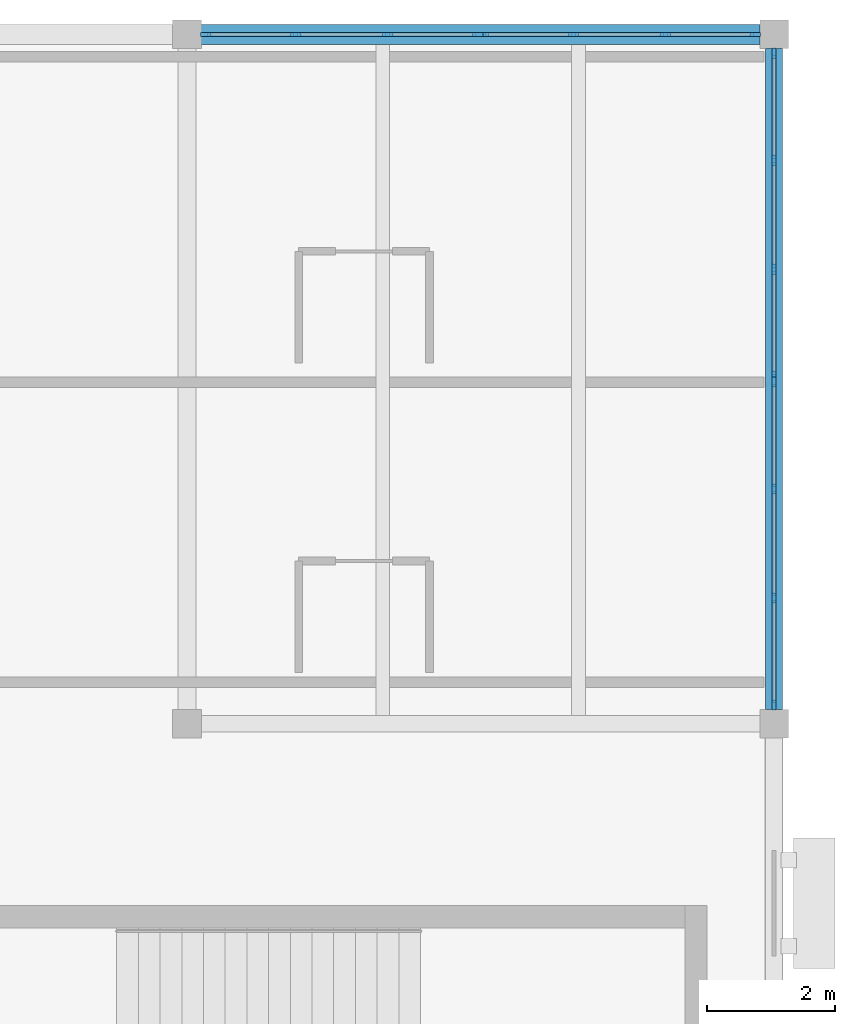
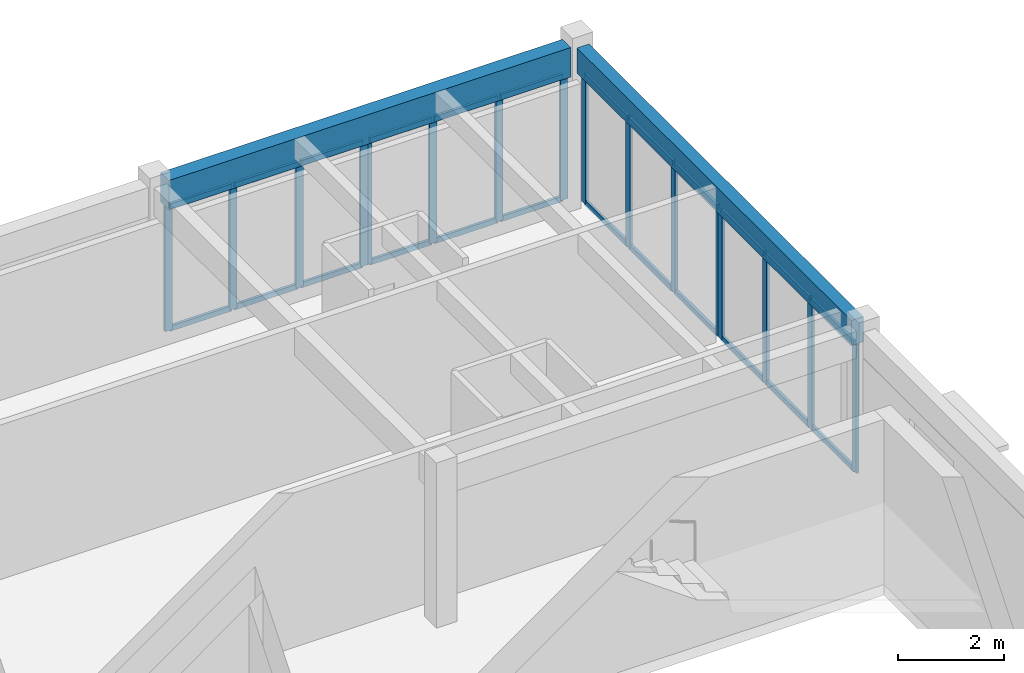
# One storey, part 3 of 18: 40 members, 2 beams, 4 elements without a shape of their own.
"""IFC4 building model written with IfcOpenShell, lengths in metres."""

from ifc_helpers import new_model, si_unit, direction, frame, origin, origin_2d, place, context, subcontext, project, spatial, rectangle, extrude, material, material_profile, profile_set, type_object, element, aggregate, save


model = new_model("IFC4")

# Units and contexts
model_context = context("Model", 3, precision=1e-05, world=origin(), true_north=direction((0.0, 1.0)))
body_context = subcontext(model_context, "Body", "Model", "MODEL_VIEW")
ifc_project = project(units=[si_unit("LENGTHUNIT", "METRE"), si_unit("AREAUNIT", "SQUARE_METRE"), si_unit("VOLUMEUNIT", "CUBIC_METRE"), si_unit("PLANEANGLEUNIT", "RADIAN"), si_unit("MASSUNIT", "GRAM", prefix="KILO")], contexts=[model_context])

# Site, building, storey
site_placement = place(None, origin())
site = spatial("IfcSite", under=ifc_project, at=site_placement, CompositionType="ELEMENT")
building_placement = place(site_placement, origin())
building = spatial("IfcBuilding", under=site, at=building_placement, Name="Veldera Park Congress Hotel", CompositionType="ELEMENT")
storey_placement = place(building_placement, frame((0.0, 0.0, 31.39990234375)))
storey = spatial("IfcBuildingStorey", under=building, at=storey_placement, Name="L07", CompositionType="ELEMENT", Elevation=31.39990234375)

# Beams
ifc_material_1 = material(Name="Glulam GL28h (NDS 24F-V4)", Category="wood")
ifc_material_profile_1 = material_profile(ifc_material_1, rectangle(XDim=0.264892578125, YDim=0.580078125, at=origin_2d()), Name="GL28h 265x580")
ifc_profile_set_1 = profile_set([ifc_material_profile_1], Name="Glulam GL28h (NDS 24F-V4)")
beam_type_1 = type_object("IfcBeamType", Name="BM-GL540E", PredefinedType="BEAM", material=ifc_profile_set_1)
beam_1_placement = place(storey_placement, frame((84.0, 47.425048828125, 3.26513671875), z_axis=(0.0, 1.0, 0.0), x_axis=(-1.0, 0.0, 0.0)))
element("IfcBeam", 1, at=beam_1_placement, inside=storey, type_object=beam_type_1, Name="L07 Girder BM-GL540E 1701", PredefinedType="BEAM", context=body_context, shape_type="SweptSolid", body=[
    extrude(rectangle(XDim=0.264892578125, YDim=0.580078125, at=origin_2d()), origin(), (0.0, 0.0, 1.0), 10.349853515625),
])
ifc_material_profile_2 = material_profile(ifc_material_1, rectangle(XDim=0.31494140625, YDim=0.679931640625, at=origin_2d()), Name="GL28h 315x680")
ifc_profile_set_2 = profile_set([ifc_material_profile_2], Name="Glulam GL28h (NDS 24F-V4)")
beam_type_2 = type_object("IfcBeamType", Name="BM-GL640E", PredefinedType="BEAM", material=ifc_profile_set_2)
beam_2_placement = place(storey_placement, frame((75.02490234375, 58.0, 3.215087890625), z_axis=(1.0, 0.0, 0.0), x_axis=(0.0, 1.0, 0.0)))
element("IfcBeam", 2, at=beam_2_placement, inside=storey, type_object=beam_type_2, Name="L07 Girder BM-GL640E 1668", PredefinedType="BEAM", context=body_context, shape_type="SweptSolid", body=[
    extrude(rectangle(XDim=0.31494140625, YDim=0.679931640625, at=origin_2d()), origin(), (0.0, 0.0, 1.0), 8.75),
])

# Curtain wall, members
ifc_material_2 = material(Name="Low-E Triple Insulating Glass Unit (SHGC 0.22)", Category="glass")
curtain_wall_type = type_object("IfcCurtainWallType", Name="CW-HTL", PredefinedType="NOTDEFINED", material=ifc_material_2)
curtain_wall_1_placement = place(storey_placement, origin())
curtain_wall_1 = element("IfcCurtainWall", 3, at=curtain_wall_1_placement, inside=storey, type_object=curtain_wall_type, Name="L07 Curtain Wall CW3-HTLNE-L07-112", PredefinedType="NOTDEFINED")
ifc_material_3 = material(Name="Anodised Aluminium Alloy 6063-T6", Category="aluminium")
ifc_material_profile_3 = material_profile(ifc_material_3, rectangle(XDim=0.06005859375, YDim=0.159912109375, at=origin_2d()), Name="ALU 60x160")
ifc_profile_set_3 = profile_set([ifc_material_profile_3], Name="Anodised Aluminium Alloy 6063-T6")
member_type_1 = type_object("IfcMemberType", Name="CWM-160", PredefinedType="MULLION", material=ifc_profile_set_3)
member_1_placement = place(storey_placement, frame((84.0, 47.4951171875, 0.0), z_axis=(0.0, 0.0, 1.0), x_axis=(-1.0, 0.0, 0.0)))
member_1 = element("IfcMember", 4, at=member_1_placement, type_object=member_type_1, Name="CW-HTL mullion 1", PredefinedType="MULLION", context=body_context, shape_type="SweptSolid", body=[
    extrude(rectangle(XDim=0.06005859375, YDim=0.159912109375, at=origin_2d()), origin(), (0.0, 0.0, 1.0), 2.97021484375),
])
member_2_placement = place(storey_placement, frame((84.0, 49.171630859375, 0.0), z_axis=(0.0, 0.0, 1.0), x_axis=(-1.0, 0.0, 0.0)))
member_2 = element("IfcMember", 5, at=member_2_placement, type_object=member_type_1, Name="CW-HTL mullion 2", PredefinedType="MULLION", context=body_context, shape_type="SweptSolid", body=[
    extrude(rectangle(XDim=0.06005859375, YDim=0.159912109375, at=origin_2d()), origin(), (0.0, 0.0, 1.0), 2.97021484375),
])
member_3_placement = place(storey_placement, frame((84.0, 50.87841796875, 0.0), z_axis=(0.0, 0.0, 1.0), x_axis=(-1.0, 0.0, 0.0)))
member_3 = element("IfcMember", 6, at=member_3_placement, type_object=member_type_1, Name="CW-HTL mullion 3", PredefinedType="MULLION", context=body_context, shape_type="SweptSolid", body=[
    extrude(rectangle(XDim=0.06005859375, YDim=0.159912109375, at=origin_2d()), origin(), (0.0, 0.0, 1.0), 2.97021484375),
])
member_4_placement = place(storey_placement, frame((84.0, 52.554931640625, 0.0), z_axis=(0.0, 0.0, 1.0), x_axis=(-1.0, 0.0, 0.0)))
member_4 = element("IfcMember", 7, at=member_4_placement, type_object=member_type_1, Name="CW-HTL mullion 4", PredefinedType="MULLION", context=body_context, shape_type="SweptSolid", body=[
    extrude(rectangle(XDim=0.06005859375, YDim=0.159912109375, at=origin_2d()), origin(), (0.0, 0.0, 1.0), 2.97021484375),
])

curtain_wall_2_placement = place(storey_placement, origin())
curtain_wall_2 = element("IfcCurtainWall", 8, at=curtain_wall_2_placement, inside=storey, type_object=curtain_wall_type, Name="L07 Curtain Wall CW3-HTLNE-L07-113", PredefinedType="NOTDEFINED")
member_5_placement = place(storey_placement, frame((84.0, 52.64501953125, 0.0), z_axis=(0.0, 0.0, 1.0), x_axis=(-1.0, 0.0, 0.0)))
member_5 = element("IfcMember", 9, at=member_5_placement, type_object=member_type_1, Name="CW-HTL mullion 1", PredefinedType="MULLION", context=body_context, shape_type="SweptSolid", body=[
    extrude(rectangle(XDim=0.06005859375, YDim=0.159912109375, at=origin_2d()), origin(), (0.0, 0.0, 1.0), 2.97021484375),
])
member_6_placement = place(storey_placement, frame((84.0, 54.32177734375, 0.0), z_axis=(0.0, 0.0, 1.0), x_axis=(-1.0, 0.0, 0.0)))
member_6 = element("IfcMember", 10, at=member_6_placement, type_object=member_type_1, Name="CW-HTL mullion 2", PredefinedType="MULLION", context=body_context, shape_type="SweptSolid", body=[
    extrude(rectangle(XDim=0.06005859375, YDim=0.159912109375, at=origin_2d()), origin(), (0.0, 0.0, 1.0), 2.97021484375),
])
member_7_placement = place(storey_placement, frame((84.0, 56.0283203125, 0.0), z_axis=(0.0, 0.0, 1.0), x_axis=(-1.0, 0.0, 0.0)))
member_7 = element("IfcMember", 11, at=member_7_placement, type_object=member_type_1, Name="CW-HTL mullion 3", PredefinedType="MULLION", context=body_context, shape_type="SweptSolid", body=[
    extrude(rectangle(XDim=0.06005859375, YDim=0.159912109375, at=origin_2d()), origin(), (0.0, 0.0, 1.0), 2.97021484375),
])
member_8_placement = place(storey_placement, frame((84.0, 57.705078125, 0.0), z_axis=(0.0, 0.0, 1.0), x_axis=(-1.0, 0.0, 0.0)))
member_8 = element("IfcMember", 12, at=member_8_placement, type_object=member_type_1, Name="CW-HTL mullion 4", PredefinedType="MULLION", context=body_context, shape_type="SweptSolid", body=[
    extrude(rectangle(XDim=0.06005859375, YDim=0.159912109375, at=origin_2d()), origin(), (0.0, 0.0, 1.0), 2.97021484375),
])

curtain_wall_3_placement = place(storey_placement, origin())
curtain_wall_3 = element("IfcCurtainWall", 13, at=curtain_wall_3_placement, inside=storey, type_object=curtain_wall_type, Name="L07 Curtain Wall CW3-HTLNN-L07-114", PredefinedType="NOTDEFINED")
member_9_placement = place(storey_placement, frame((83.705078125, 58.0, 0.0), z_axis=(0.0, 0.0, 1.0), x_axis=(0.0, -1.0, 0.0)))
member_9 = element("IfcMember", 14, at=member_9_placement, type_object=member_type_1, Name="CW-HTL mullion 1", PredefinedType="MULLION", context=body_context, shape_type="SweptSolid", body=[
    extrude(rectangle(XDim=0.06005859375, YDim=0.159912109375, at=origin_2d()), origin(), (0.0, 0.0, 1.0), 2.8701171875),
])
member_10_placement = place(storey_placement, frame((82.294921875, 58.0, 0.0), z_axis=(0.0, 0.0, 1.0), x_axis=(0.0, -1.0, 0.0)))
member_10 = element("IfcMember", 15, at=member_10_placement, type_object=member_type_1, Name="CW-HTL mullion 2", PredefinedType="MULLION", context=body_context, shape_type="SweptSolid", body=[
    extrude(rectangle(XDim=0.06005859375, YDim=0.159912109375, at=origin_2d()), origin(), (0.0, 0.0, 1.0), 2.8701171875),
])
member_11_placement = place(storey_placement, frame((80.85498046875, 58.0, 0.0), z_axis=(0.0, 0.0, 1.0), x_axis=(0.0, -1.0, 0.0)))
member_11 = element("IfcMember", 16, at=member_11_placement, type_object=member_type_1, Name="CW-HTL mullion 3", PredefinedType="MULLION", context=body_context, shape_type="SweptSolid", body=[
    extrude(rectangle(XDim=0.06005859375, YDim=0.159912109375, at=origin_2d()), origin(), (0.0, 0.0, 1.0), 2.8701171875),
])
member_12_placement = place(storey_placement, frame((79.445068359375, 58.0, 0.0), z_axis=(0.0, 0.0, 1.0), x_axis=(0.0, -1.0, 0.0)))
member_12 = element("IfcMember", 17, at=member_12_placement, type_object=member_type_1, Name="CW-HTL mullion 4", PredefinedType="MULLION", context=body_context, shape_type="SweptSolid", body=[
    extrude(rectangle(XDim=0.06005859375, YDim=0.159912109375, at=origin_2d()), origin(), (0.0, 0.0, 1.0), 2.8701171875),
])

curtain_wall_4_placement = place(storey_placement, origin())
curtain_wall_4 = element("IfcCurtainWall", 18, at=curtain_wall_4_placement, inside=storey, type_object=curtain_wall_type, Name="L07 Curtain Wall CW3-HTLNN-L07-115", PredefinedType="NOTDEFINED")
member_13_placement = place(storey_placement, frame((79.35498046875, 58.0, 0.0), z_axis=(0.0, 0.0, 1.0), x_axis=(0.0, -1.0, 0.0)))
member_13 = element("IfcMember", 19, at=member_13_placement, type_object=member_type_1, Name="CW-HTL mullion 1", PredefinedType="MULLION", context=body_context, shape_type="SweptSolid", body=[
    extrude(rectangle(XDim=0.06005859375, YDim=0.159912109375, at=origin_2d()), origin(), (0.0, 0.0, 1.0), 2.8701171875),
])
member_14_placement = place(storey_placement, frame((77.945068359375, 58.0, 0.0), z_axis=(0.0, 0.0, 1.0), x_axis=(0.0, -1.0, 0.0)))
member_14 = element("IfcMember", 20, at=member_14_placement, type_object=member_type_1, Name="CW-HTL mullion 2", PredefinedType="MULLION", context=body_context, shape_type="SweptSolid", body=[
    extrude(rectangle(XDim=0.06005859375, YDim=0.159912109375, at=origin_2d()), origin(), (0.0, 0.0, 1.0), 2.8701171875),
])
member_15_placement = place(storey_placement, frame((76.5048828125, 58.0, 0.0), z_axis=(0.0, 0.0, 1.0), x_axis=(0.0, -1.0, 0.0)))
member_15 = element("IfcMember", 21, at=member_15_placement, type_object=member_type_1, Name="CW-HTL mullion 3", PredefinedType="MULLION", context=body_context, shape_type="SweptSolid", body=[
    extrude(rectangle(XDim=0.06005859375, YDim=0.159912109375, at=origin_2d()), origin(), (0.0, 0.0, 1.0), 2.8701171875),
])
member_16_placement = place(storey_placement, frame((75.094970703125, 58.0, 0.0), z_axis=(0.0, 0.0, 1.0), x_axis=(0.0, -1.0, 0.0)))
member_16 = element("IfcMember", 22, at=member_16_placement, type_object=member_type_1, Name="CW-HTL mullion 4", PredefinedType="MULLION", context=body_context, shape_type="SweptSolid", body=[
    extrude(rectangle(XDim=0.06005859375, YDim=0.159912109375, at=origin_2d()), origin(), (0.0, 0.0, 1.0), 2.8701171875),
])

# Member
ifc_material_profile_4 = material_profile(ifc_material_3, rectangle(XDim=0.06005859375, YDim=0.1201171875, at=origin_2d()), Name="ALU 60x120")
ifc_profile_set_4 = profile_set([ifc_material_profile_4], Name="Anodised Aluminium Alloy 6063-T6")
member_type_2 = type_object("IfcMemberType", Name="CWT-120", PredefinedType="USERDEFINED", material=ifc_profile_set_4)
member_17_placement = place(storey_placement, frame((84.0, 47.52490234375, 0.030029296875), z_axis=(0.0, 1.0, 0.0), x_axis=(-1.0, 0.0, 0.0)))
member_17 = element("IfcMember", 23, at=member_17_placement, type_object=member_type_2, Name="CW-HTL transom 1.1", ObjectType="TRANSOM", PredefinedType="USERDEFINED", context=body_context, shape_type="SweptSolid", body=[
    extrude(rectangle(XDim=0.06005859375, YDim=0.1201171875, at=origin_2d()), origin(), (0.0, 0.0, 1.0), 1.61669921875),
])

member_18_placement = place(storey_placement, frame((84.0, 47.52490234375, 2.940185546875), z_axis=(0.0, 1.0, 0.0), x_axis=(-1.0, 0.0, 0.0)))
member_18 = element("IfcMember", 24, at=member_18_placement, type_object=member_type_2, Name="CW-HTL transom 1.2", ObjectType="TRANSOM", PredefinedType="USERDEFINED", context=body_context, shape_type="SweptSolid", body=[
    extrude(rectangle(XDim=0.06005859375, YDim=0.1201171875, at=origin_2d()), origin(), (0.0, 0.0, 1.0), 1.61669921875),
])

member_19_placement = place(storey_placement, frame((84.0, 49.20166015625, 0.030029296875), z_axis=(0.0, 1.0, 0.0), x_axis=(-1.0, 0.0, 0.0)))
member_19 = element("IfcMember", 25, at=member_19_placement, type_object=member_type_2, Name="CW-HTL transom 2.1", ObjectType="TRANSOM", PredefinedType="USERDEFINED", context=body_context, shape_type="SweptSolid", body=[
    extrude(rectangle(XDim=0.06005859375, YDim=0.1201171875, at=origin_2d()), origin(), (0.0, 0.0, 1.0), 1.646728515625),
])

member_20_placement = place(storey_placement, frame((84.0, 49.20166015625, 2.940185546875), z_axis=(0.0, 1.0, 0.0), x_axis=(-1.0, 0.0, 0.0)))
member_20 = element("IfcMember", 26, at=member_20_placement, type_object=member_type_2, Name="CW-HTL transom 2.2", ObjectType="TRANSOM", PredefinedType="USERDEFINED", context=body_context, shape_type="SweptSolid", body=[
    extrude(rectangle(XDim=0.06005859375, YDim=0.1201171875, at=origin_2d()), origin(), (0.0, 0.0, 1.0), 1.646728515625),
])

member_21_placement = place(storey_placement, frame((84.0, 50.908447265625, 0.030029296875), z_axis=(0.0, 1.0, 0.0), x_axis=(-1.0, 0.0, 0.0)))
member_21 = element("IfcMember", 27, at=member_21_placement, type_object=member_type_2, Name="CW-HTL transom 3.1", ObjectType="TRANSOM", PredefinedType="USERDEFINED", context=body_context, shape_type="SweptSolid", body=[
    extrude(rectangle(XDim=0.06005859375, YDim=0.1201171875, at=origin_2d()), origin(), (0.0, 0.0, 1.0), 1.616455078125),
])

member_22_placement = place(storey_placement, frame((84.0, 50.908447265625, 2.940185546875), z_axis=(0.0, 1.0, 0.0), x_axis=(-1.0, 0.0, 0.0)))
member_22 = element("IfcMember", 28, at=member_22_placement, type_object=member_type_2, Name="CW-HTL transom 3.2", ObjectType="TRANSOM", PredefinedType="USERDEFINED", context=body_context, shape_type="SweptSolid", body=[
    extrude(rectangle(XDim=0.06005859375, YDim=0.1201171875, at=origin_2d()), origin(), (0.0, 0.0, 1.0), 1.616455078125),
])

aggregate(curtain_wall_1, [member_1, member_2, member_3, member_4, member_17, member_18, member_19, member_20, member_21, member_22])

member_23_placement = place(storey_placement, frame((84.0, 52.675048828125, 0.030029296875), z_axis=(0.0, 1.0, 0.0), x_axis=(-1.0, 0.0, 0.0)))
member_23 = element("IfcMember", 29, at=member_23_placement, type_object=member_type_2, Name="CW-HTL transom 1.1", ObjectType="TRANSOM", PredefinedType="USERDEFINED", context=body_context, shape_type="SweptSolid", body=[
    extrude(rectangle(XDim=0.06005859375, YDim=0.1201171875, at=origin_2d()), origin(), (0.0, 0.0, 1.0), 1.61669921875),
])

member_24_placement = place(storey_placement, frame((84.0, 52.675048828125, 2.940185546875), z_axis=(0.0, 1.0, 0.0), x_axis=(-1.0, 0.0, 0.0)))
member_24 = element("IfcMember", 30, at=member_24_placement, type_object=member_type_2, Name="CW-HTL transom 1.2", ObjectType="TRANSOM", PredefinedType="USERDEFINED", context=body_context, shape_type="SweptSolid", body=[
    extrude(rectangle(XDim=0.06005859375, YDim=0.1201171875, at=origin_2d()), origin(), (0.0, 0.0, 1.0), 1.61669921875),
])

member_25_placement = place(storey_placement, frame((84.0, 54.3515625, 0.030029296875), z_axis=(0.0, 1.0, 0.0), x_axis=(-1.0, 0.0, 0.0)))
member_25 = element("IfcMember", 31, at=member_25_placement, type_object=member_type_2, Name="CW-HTL transom 2.1", ObjectType="TRANSOM", PredefinedType="USERDEFINED", context=body_context, shape_type="SweptSolid", body=[
    extrude(rectangle(XDim=0.06005859375, YDim=0.1201171875, at=origin_2d()), origin(), (0.0, 0.0, 1.0), 1.646728515625),
])

member_26_placement = place(storey_placement, frame((84.0, 54.3515625, 2.940185546875), z_axis=(0.0, 1.0, 0.0), x_axis=(-1.0, 0.0, 0.0)))
member_26 = element("IfcMember", 32, at=member_26_placement, type_object=member_type_2, Name="CW-HTL transom 2.2", ObjectType="TRANSOM", PredefinedType="USERDEFINED", context=body_context, shape_type="SweptSolid", body=[
    extrude(rectangle(XDim=0.06005859375, YDim=0.1201171875, at=origin_2d()), origin(), (0.0, 0.0, 1.0), 1.646728515625),
])

member_27_placement = place(storey_placement, frame((84.0, 56.058349609375, 0.030029296875), z_axis=(0.0, 1.0, 0.0), x_axis=(-1.0, 0.0, 0.0)))
member_27 = element("IfcMember", 33, at=member_27_placement, type_object=member_type_2, Name="CW-HTL transom 3.1", ObjectType="TRANSOM", PredefinedType="USERDEFINED", context=body_context, shape_type="SweptSolid", body=[
    extrude(rectangle(XDim=0.06005859375, YDim=0.1201171875, at=origin_2d()), origin(), (0.0, 0.0, 1.0), 1.61669921875),
])

member_28_placement = place(storey_placement, frame((84.0, 56.058349609375, 2.940185546875), z_axis=(0.0, 1.0, 0.0), x_axis=(-1.0, 0.0, 0.0)))
member_28 = element("IfcMember", 34, at=member_28_placement, type_object=member_type_2, Name="CW-HTL transom 3.2", ObjectType="TRANSOM", PredefinedType="USERDEFINED", context=body_context, shape_type="SweptSolid", body=[
    extrude(rectangle(XDim=0.06005859375, YDim=0.1201171875, at=origin_2d()), origin(), (0.0, 0.0, 1.0), 1.61669921875),
])

aggregate(curtain_wall_2, [member_5, member_6, member_7, member_8, member_23, member_24, member_25, member_26, member_27, member_28])

member_29_placement = place(storey_placement, frame((83.675048828125, 58.0, 0.030029296875), z_axis=(-1.0, 0.0, 0.0), x_axis=(0.0, -1.0, 0.0)))
member_29 = element("IfcMember", 35, at=member_29_placement, type_object=member_type_2, Name="CW-HTL transom 1.1", ObjectType="TRANSOM", PredefinedType="USERDEFINED", context=body_context, shape_type="SweptSolid", body=[
    extrude(rectangle(XDim=0.06005859375, YDim=0.1201171875, at=origin_2d()), origin(), (0.0, 0.0, 1.0), 1.35009765625),
])

member_30_placement = place(storey_placement, frame((83.675048828125, 58.0, 2.840087890625), z_axis=(-1.0, 0.0, 0.0), x_axis=(0.0, -1.0, 0.0)))
member_30 = element("IfcMember", 36, at=member_30_placement, type_object=member_type_2, Name="CW-HTL transom 1.2", ObjectType="TRANSOM", PredefinedType="USERDEFINED", context=body_context, shape_type="SweptSolid", body=[
    extrude(rectangle(XDim=0.06005859375, YDim=0.1201171875, at=origin_2d()), origin(), (0.0, 0.0, 1.0), 1.35009765625),
])

member_31_placement = place(storey_placement, frame((82.264892578125, 58.0, 0.030029296875), z_axis=(-1.0, 0.0, 0.0), x_axis=(0.0, -1.0, 0.0)))
member_31 = element("IfcMember", 37, at=member_31_placement, type_object=member_type_2, Name="CW-HTL transom 2.1", ObjectType="TRANSOM", PredefinedType="USERDEFINED", context=body_context, shape_type="SweptSolid", body=[
    extrude(rectangle(XDim=0.06005859375, YDim=0.1201171875, at=origin_2d()), origin(), (0.0, 0.0, 1.0), 1.3798828125),
])

member_32_placement = place(storey_placement, frame((82.264892578125, 58.0, 2.840087890625), z_axis=(-1.0, 0.0, 0.0), x_axis=(0.0, -1.0, 0.0)))
member_32 = element("IfcMember", 38, at=member_32_placement, type_object=member_type_2, Name="CW-HTL transom 2.2", ObjectType="TRANSOM", PredefinedType="USERDEFINED", context=body_context, shape_type="SweptSolid", body=[
    extrude(rectangle(XDim=0.06005859375, YDim=0.1201171875, at=origin_2d()), origin(), (0.0, 0.0, 1.0), 1.3798828125),
])

member_33_placement = place(storey_placement, frame((80.824951171875, 58.0, 0.030029296875), z_axis=(-1.0, 0.0, 0.0), x_axis=(0.0, -1.0, 0.0)))
member_33 = element("IfcMember", 39, at=member_33_placement, type_object=member_type_2, Name="CW-HTL transom 3.1", ObjectType="TRANSOM", PredefinedType="USERDEFINED", context=body_context, shape_type="SweptSolid", body=[
    extrude(rectangle(XDim=0.06005859375, YDim=0.1201171875, at=origin_2d()), origin(), (0.0, 0.0, 1.0), 1.349853515625),
])

member_34_placement = place(storey_placement, frame((80.824951171875, 58.0, 2.840087890625), z_axis=(-1.0, 0.0, 0.0), x_axis=(0.0, -1.0, 0.0)))
member_34 = element("IfcMember", 40, at=member_34_placement, type_object=member_type_2, Name="CW-HTL transom 3.2", ObjectType="TRANSOM", PredefinedType="USERDEFINED", context=body_context, shape_type="SweptSolid", body=[
    extrude(rectangle(XDim=0.06005859375, YDim=0.1201171875, at=origin_2d()), origin(), (0.0, 0.0, 1.0), 1.349853515625),
])

aggregate(curtain_wall_3, [member_9, member_10, member_11, member_12, member_29, member_30, member_31, member_32, member_33, member_34])

member_35_placement = place(storey_placement, frame((79.324951171875, 58.0, 0.030029296875), z_axis=(-1.0, 0.0, 0.0), x_axis=(0.0, -1.0, 0.0)))
member_35 = element("IfcMember", 41, at=member_35_placement, type_object=member_type_2, Name="CW-HTL transom 1.1", ObjectType="TRANSOM", PredefinedType="USERDEFINED", context=body_context, shape_type="SweptSolid", body=[
    extrude(rectangle(XDim=0.06005859375, YDim=0.1201171875, at=origin_2d()), origin(), (0.0, 0.0, 1.0), 1.349853515625),
])

member_36_placement = place(storey_placement, frame((79.324951171875, 58.0, 2.840087890625), z_axis=(-1.0, 0.0, 0.0), x_axis=(0.0, -1.0, 0.0)))
member_36 = element("IfcMember", 42, at=member_36_placement, type_object=member_type_2, Name="CW-HTL transom 1.2", ObjectType="TRANSOM", PredefinedType="USERDEFINED", context=body_context, shape_type="SweptSolid", body=[
    extrude(rectangle(XDim=0.06005859375, YDim=0.1201171875, at=origin_2d()), origin(), (0.0, 0.0, 1.0), 1.349853515625),
])

member_37_placement = place(storey_placement, frame((77.9150390625, 58.0, 0.030029296875), z_axis=(-1.0, 0.0, 0.0), x_axis=(0.0, -1.0, 0.0)))
member_37 = element("IfcMember", 43, at=member_37_placement, type_object=member_type_2, Name="CW-HTL transom 2.1", ObjectType="TRANSOM", PredefinedType="USERDEFINED", context=body_context, shape_type="SweptSolid", body=[
    extrude(rectangle(XDim=0.06005859375, YDim=0.1201171875, at=origin_2d()), origin(), (0.0, 0.0, 1.0), 1.380126953125),
])

member_38_placement = place(storey_placement, frame((77.9150390625, 58.0, 2.840087890625), z_axis=(-1.0, 0.0, 0.0), x_axis=(0.0, -1.0, 0.0)))
member_38 = element("IfcMember", 44, at=member_38_placement, type_object=member_type_2, Name="CW-HTL transom 2.2", ObjectType="TRANSOM", PredefinedType="USERDEFINED", context=body_context, shape_type="SweptSolid", body=[
    extrude(rectangle(XDim=0.06005859375, YDim=0.1201171875, at=origin_2d()), origin(), (0.0, 0.0, 1.0), 1.380126953125),
])

member_39_placement = place(storey_placement, frame((76.47509765625, 58.0, 0.030029296875), z_axis=(-1.0, 0.0, 0.0), x_axis=(0.0, -1.0, 0.0)))
member_39 = element("IfcMember", 45, at=member_39_placement, type_object=member_type_2, Name="CW-HTL transom 3.1", ObjectType="TRANSOM", PredefinedType="USERDEFINED", context=body_context, shape_type="SweptSolid", body=[
    extrude(rectangle(XDim=0.06005859375, YDim=0.1201171875, at=origin_2d()), origin(), (0.0, 0.0, 1.0), 1.35009765625),
])

member_40_placement = place(storey_placement, frame((76.47509765625, 58.0, 2.840087890625), z_axis=(-1.0, 0.0, 0.0), x_axis=(0.0, -1.0, 0.0)))
member_40 = element("IfcMember", 46, at=member_40_placement, type_object=member_type_2, Name="CW-HTL transom 3.2", ObjectType="TRANSOM", PredefinedType="USERDEFINED", context=body_context, shape_type="SweptSolid", body=[
    extrude(rectangle(XDim=0.06005859375, YDim=0.1201171875, at=origin_2d()), origin(), (0.0, 0.0, 1.0), 1.35009765625),
])

aggregate(curtain_wall_4, [member_13, member_14, member_15, member_16, member_35, member_36, member_37, member_38, member_39, member_40])

save(model, "model.ifc")
